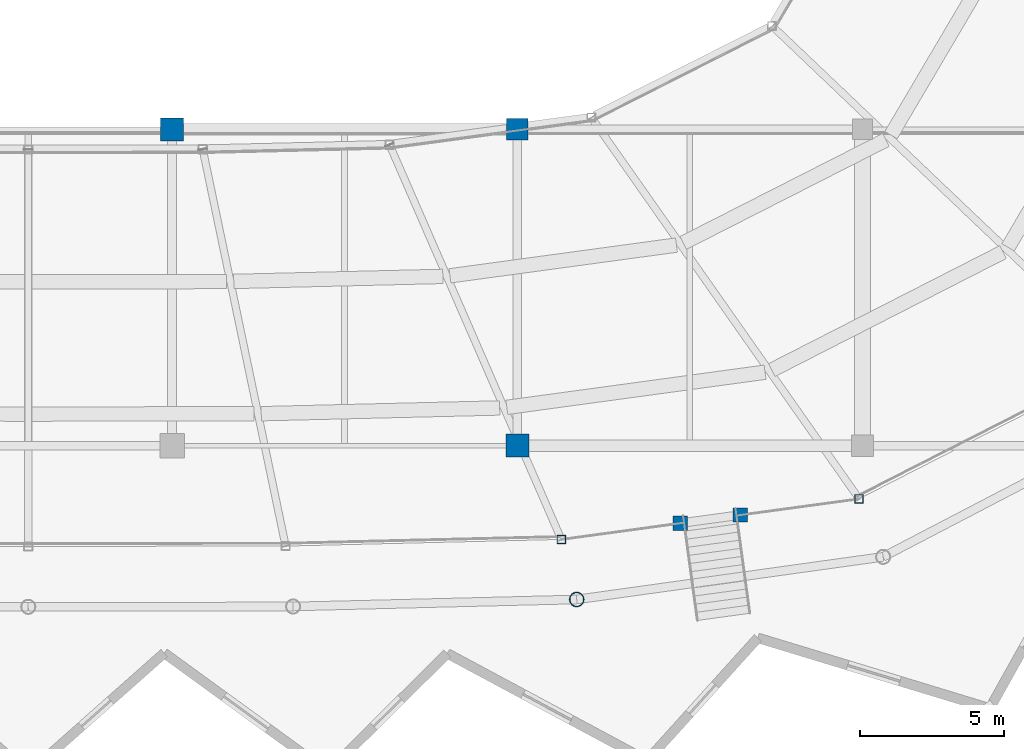
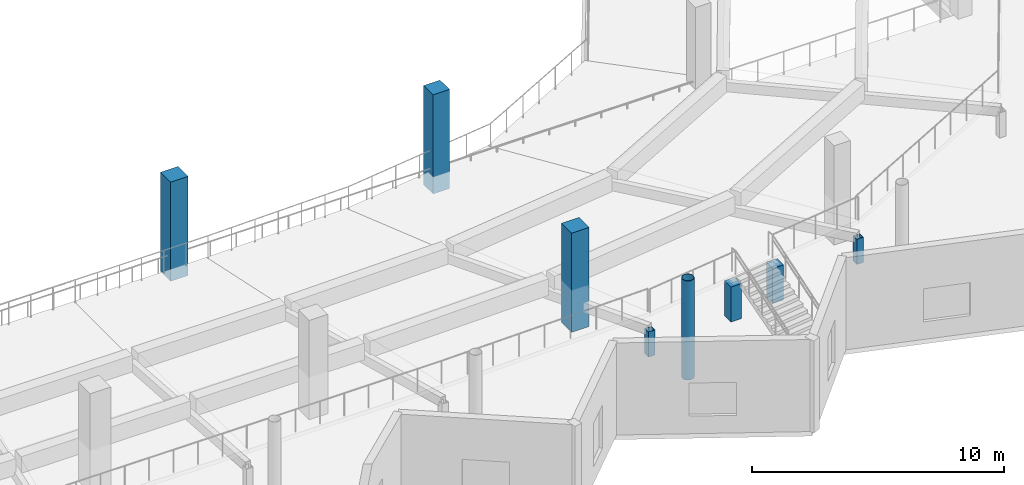
# One storey, part 6 of 77: 8 columns.
"""IFC4 building model written with IfcOpenShell, lengths in metres."""

from ifc_helpers import new_model, si_unit, direction, frame, origin, origin_2d, place, context, subcontext, project, spatial, rectangle, hollow_rectangle, hollow_circle, extrude, material, material_profile, profile_set, type_object, element, save


model = new_model("IFC4")

# Units and contexts
model_context = context("Model", 3, precision=1e-05, world=origin(), true_north=direction((0.0, 1.0)))
body_context = subcontext(model_context, "Body", "Model", "MODEL_VIEW")
ifc_project = project(units=[si_unit("LENGTHUNIT", "METRE"), si_unit("AREAUNIT", "SQUARE_METRE"), si_unit("VOLUMEUNIT", "CUBIC_METRE"), si_unit("PLANEANGLEUNIT", "RADIAN"), si_unit("MASSUNIT", "GRAM", prefix="KILO")], contexts=[model_context])

# Site, building, storey
site_placement = place(None, origin())
site = spatial("IfcSite", under=ifc_project, at=site_placement, CompositionType="ELEMENT")
building_placement = place(site_placement, origin())
building = spatial("IfcBuilding", under=site, at=building_placement, Name="Luwafu Chhajja Arena", CompositionType="ELEMENT")
storey_placement = place(building_placement, frame((0.0, 0.0, 14.699951171875)))
storey = spatial("IfcBuildingStorey", under=building, at=storey_placement, Name="L03", CompositionType="ELEMENT", Elevation=14.699951171875)

# Columns
ifc_material_1 = material(Name="Concrete C35/45", Category="concrete")
ifc_material_profile_1 = material_profile(ifc_material_1, rectangle(XDim=0.800048828125, YDim=0.800048828125, at=origin_2d()), Name="RC 800x800")
ifc_profile_set_1 = profile_set([ifc_material_profile_1], Name="Concrete C35/45")
column_type_1 = type_object("IfcColumnType", Name="Concourse Standard Column RC 800", PredefinedType="COLUMN", material=ifc_profile_set_1)
for number, where, z_axis, x_axis, name in (
    (1, (104.0, 22.0, 0.0), (0.0, 0.0, 1.0), (1.0, 0.0, 0.0), "L03 Grid Column 10/C"),
    (2, (116.0, 11.0, 0.0), (0.0, 0.0, 1.0), (1.0, 0.0, 0.0), "L03 Grid Column 11/B"),
):
    element("IfcColumn", number, at=place(storey_placement, frame(where, z_axis=z_axis, x_axis=x_axis)), inside=storey, type_object=column_type_1, Name=name, PredefinedType="COLUMN", context=body_context, shape_type="SweptSolid", body=[
        extrude(rectangle(XDim=0.800048828125, YDim=0.800048828125, at=origin_2d()), origin(), (0.0, 0.0, 1.0), 4.800048828125),
    ])
ifc_material_profile_2 = material_profile(ifc_material_1, rectangle(XDim=0.75, YDim=0.75, at=origin_2d()), Name="RC 750x750")
ifc_profile_set_2 = profile_set([ifc_material_profile_2], Name="Concrete C35/45")
column_type_2 = type_object("IfcColumnType", Name="Hospitality Ring Column RC 750", PredefinedType="COLUMN", material=ifc_profile_set_2)
column_1_placement = place(storey_placement, frame((116.0, 22.0, 0.0), z_axis=(0.0, 0.0, 1.0), x_axis=(1.0, 0.0, 0.0)))
element("IfcColumn", 3, at=column_1_placement, inside=storey, type_object=column_type_2, Name="L03 Grid Column 11/C", PredefinedType="COLUMN", context=body_context, shape_type="SweptSolid", body=[
    extrude(rectangle(XDim=0.75, YDim=0.75, at=origin_2d()), origin(), (0.0, 0.0, 1.0), 4.800048828125),
])
ifc_material_profile_3 = material_profile(ifc_material_1, rectangle(XDim=0.5, YDim=0.5, at=origin_2d()), Name="RC 500x500")
ifc_profile_set_3 = profile_set([ifc_material_profile_3], Name="Concrete C35/45")
column_type_3 = type_object("IfcColumnType", Name="Pavilion Column RC 500", PredefinedType="COLUMN", material=ifc_profile_set_3)
for number, where, z_axis, x_axis, name in (
    (4, (121.667236328125, 8.306884765625, 0.0), (0.0, 0.0, 1.0), (1.0, 0.0, 0.0), "L03 Vomitory Header Column VU27A"),
    (5, (123.748046875, 8.5908203125, 0.0), (0.0, 0.0, 1.0), (1.0, 0.0, 0.0), "L03 Vomitory Header Column VU27B"),
):
    element("IfcColumn", number, at=place(storey_placement, frame(where, z_axis=z_axis, x_axis=x_axis)), inside=storey, type_object=column_type_3, Name=name, PredefinedType="COLUMN", context=body_context, shape_type="SweptSolid", body=[
        extrude(rectangle(XDim=0.5, YDim=0.5, at=origin_2d()), origin(), (0.0, 0.0, 1.0), 1.699951171875),
    ])
ifc_material_2 = material(Name="Steel S355", Category="steel")
ifc_material_profile_4 = material_profile(ifc_material_2, hollow_rectangle(XDim=0.300048828125, YDim=0.300048828125, WallThickness=0.01611328125, at=origin_2d()), Name="SHS 300x300x16")
ifc_profile_set_4 = profile_set([ifc_material_profile_4], Name="Steel S355")
column_type_4 = type_object("IfcColumnType", Name="Steel Gallery Post SHS 300", PredefinedType="COLUMN", material=ifc_profile_set_4)
for number, where, z_axis, x_axis, name in (
    (6, (117.53173828125, 7.7431640625, 0.0), (0.0, 0.0, 1.0), (1.0, 0.0, 0.0), "L03 Upper Raker Rear Post 27"),
    (7, (127.883544921875, 9.154541015625, 0.0), (0.0, 0.0, 1.0), (1.0, 0.0, 0.0), "L03 Upper Raker Rear Post 28"),
):
    element("IfcColumn", number, at=place(storey_placement, frame(where, z_axis=z_axis, x_axis=x_axis)), inside=storey, type_object=column_type_4, Name=name, PredefinedType="COLUMN", context=body_context, shape_type="SweptSolid", body=[
        extrude(hollow_rectangle(XDim=0.300048828125, YDim=0.300048828125, WallThickness=0.01611328125, at=origin_2d()), origin(), (0.0, 0.0, 1.0), 1.219970703125),
    ])
ifc_material_profile_5 = material_profile(ifc_material_2, hollow_circle(Radius=0.25390625, WallThickness=0.02001953125, at=origin_2d()), Name="CHS 508x20")
ifc_profile_set_5 = profile_set([ifc_material_profile_5], Name="Steel S355")
column_type_5 = type_object("IfcColumnType", Name="Steel Upper Drum Column CHS 508", PredefinedType="COLUMN", material=ifc_profile_set_5)
column_2_placement = place(storey_placement, frame((118.067138671875, 5.6552734375, 0.0), z_axis=(0.0, 0.0, 1.0), x_axis=(1.0, 0.0, 0.0)))
element("IfcColumn", 8, at=column_2_placement, inside=storey, type_object=column_type_5, Name="L03 Bowl Drum Column D27", PredefinedType="COLUMN", context=body_context, shape_type="SweptSolid", body=[
    extrude(hollow_circle(Radius=0.25390625, WallThickness=0.02001953125, at=origin_2d()), origin(), (0.0, 0.0, 1.0), 4.800048828125),
])

save(model, "model.ifc")
